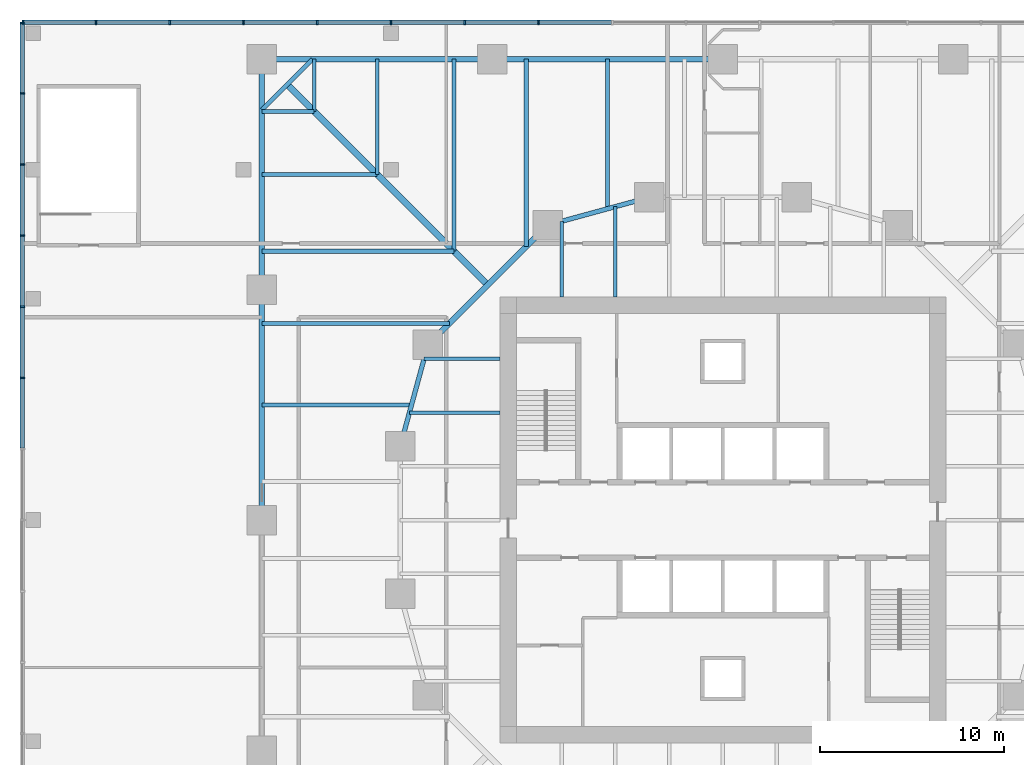
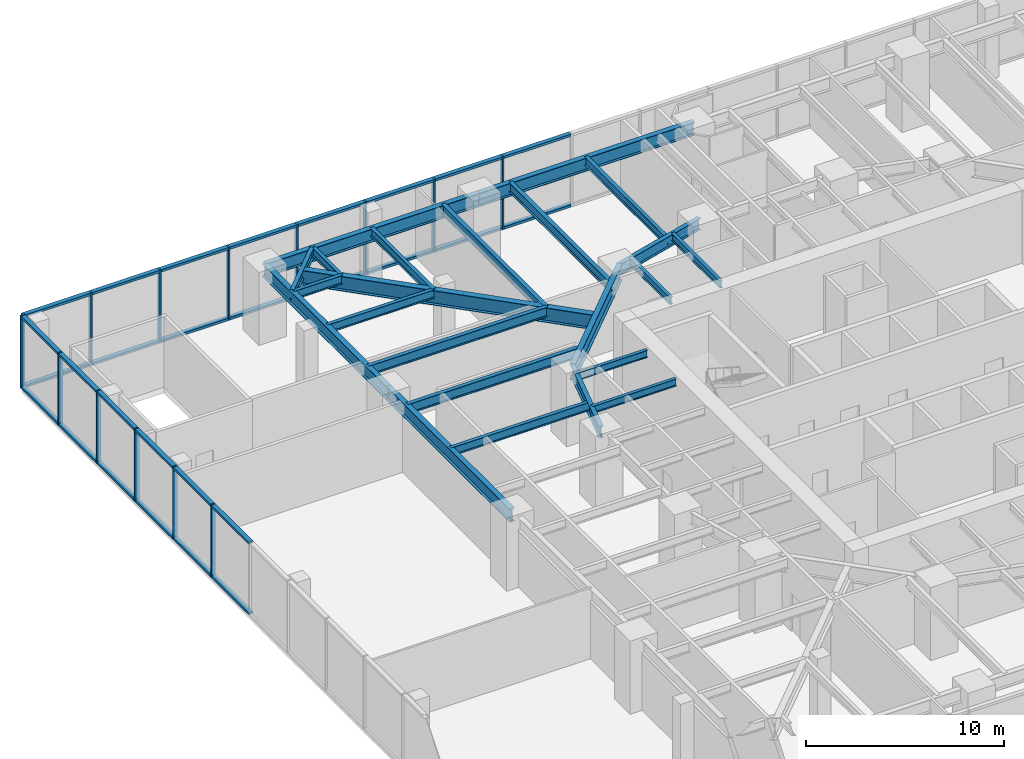
# One storey, part 5 of 14: 42 members, 23 beams, 2 elements without a shape of their own.
"""IFC4 building model written with IfcOpenShell, lengths in metres."""

from ifc_helpers import new_model, si_unit, direction, frame, origin, origin_2d, place, context, subcontext, project, spatial, rectangle, i_section, extrude, material, material_profile, profile_set, type_object, element, aggregate, save


model = new_model("IFC4")

# Units and contexts
model_context = context("Model", 3, precision=1e-05, world=origin(), true_north=direction((0.0, 1.0)))
body_context = subcontext(model_context, "Body", "Model", "MODEL_VIEW")
ifc_project = project(units=[si_unit("LENGTHUNIT", "METRE"), si_unit("AREAUNIT", "SQUARE_METRE"), si_unit("VOLUMEUNIT", "CUBIC_METRE"), si_unit("PLANEANGLEUNIT", "RADIAN"), si_unit("MASSUNIT", "GRAM", prefix="KILO")], contexts=[model_context])

# Site, building, storey
site_placement = place(None, origin())
site = spatial("IfcSite", under=ifc_project, at=site_placement, CompositionType="ELEMENT")
building_placement = place(site_placement, origin())
building = spatial("IfcBuilding", under=site, at=building_placement, Name="Torsade Residences", CompositionType="ELEMENT")
storey_placement = place(building_placement, frame((0.0, 0.0, 10.5)))
storey = spatial("IfcBuildingStorey", under=building, at=storey_placement, Name="L02", CompositionType="ELEMENT", Elevation=10.5)

# Beams
ifc_material_1 = material(Name="Steel grade 300", Category="steel")
ifc_material_profile_1 = material_profile(ifc_material_1, i_section(OverallWidth=0.35009765625, OverallDepth=0.909912109375, WebThickness=0.011962890625, FlangeThickness=0.02490234375, at=origin_2d()), Name="900WB218")
ifc_profile_set_1 = profile_set([ifc_material_profile_1], Name="Steel grade 300")
beam_type_1 = type_object("IfcBeamType", Name="CORNER GIRDER 900WB218", PredefinedType="BEAM", material=ifc_profile_set_1)
beam_1_placement = place(storey_placement, frame((16.375, 53.625, 3.89501953125), z_axis=(0.707106781187, -0.707106781187, 0.0), x_axis=(0.707106781187, 0.707106781187, 0.0)))
element("IfcBeam", 1, at=beam_1_placement, inside=storey, type_object=beam_type_1, Name="Corner girder 13 L03", PredefinedType="BEAM", context=body_context, shape_type="SweptSolid", body=[
    extrude(i_section(OverallWidth=0.35009765625, OverallDepth=0.909912109375, WebThickness=0.011962890625, FlangeThickness=0.02490234375, at=origin_2d()), origin(), (0.0, 0.0, 1.0), 15.379638671875),
])
ifc_material_2 = material(Name="Steel grade 300", Category="steel")
ifc_material_profile_2 = material_profile(ifc_material_2, i_section(OverallWidth=0.22802734375, OverallDepth=0.60205078125, WebThickness=0.010498046875, FlangeThickness=0.014892578125, FilletRadius=0.013916015625, at=origin_2d()), Name="610UB101")
ifc_profile_set_2 = profile_set([ifc_material_profile_2], Name="Steel grade 300")
beam_type_2 = type_object("IfcBeamType", Name="CORNER TRIMMER 610UB101", PredefinedType="BEAM", material=ifc_profile_set_2)
beam_2_placement = place(storey_placement, frame((15.0, 52.25, 4.049072265625), z_axis=(0.707106781187, 0.707106781187, 0.0), x_axis=(-0.707106781187, 0.707106781187, 0.0)))
element("IfcBeam", 2, at=beam_2_placement, inside=storey, type_object=beam_type_2, Name="Corner trimmer 13 L03", PredefinedType="BEAM", context=body_context, shape_type="SweptSolid", body=[
    extrude(i_section(OverallWidth=0.22802734375, OverallDepth=0.60205078125, WebThickness=0.010498046875, FlangeThickness=0.014892578125, FilletRadius=0.013916015625, at=origin_2d()), origin(), (0.0, 0.0, 1.0), 3.88916015625),
])
ifc_material_3 = material(Name="Steel grade 300", Category="steel")
ifc_material_profile_3 = material_profile(ifc_material_3, i_section(OverallWidth=0.300048828125, OverallDepth=0.81591796875, WebThickness=0.010009765625, FlangeThickness=0.028076171875, at=origin_2d()), Name="800WB192")
ifc_profile_set_3 = profile_set([ifc_material_profile_3], Name="Steel grade 300")
beam_type_3 = type_object("IfcBeamType", Name="EDGE BEAM 800WB192", PredefinedType="SPANDREL", material=ifc_profile_set_3)
for number, where, z_axis, x_axis, name in (
    (3, (40.0, 55.0, 3.94189453125), (-1.0, 0.0, 0.0), (0.0, -1.0, 0.0), "Edge beam 11 L03"),
    (4, (27.5, 55.0, 3.94189453125), (-1.0, 0.0, 0.0), (0.0, -1.0, 0.0), "Edge beam 12 L03"),
    (5, (15.0, 55.0, 3.94189453125), (0.0, -1.0, 0.0), (1.0, 0.0, 0.0), "Edge beam 13 L03"),
    (6, (15.0, 42.5, 3.94189453125), (0.0, -1.0, 0.0), (1.0, 0.0, 0.0), "Edge beam 14 L03"),
):
    element("IfcBeam", number, at=place(storey_placement, frame(where, z_axis=z_axis, x_axis=x_axis)), inside=storey, type_object=beam_type_3, Name=name, PredefinedType="SPANDREL", context=body_context, shape_type="SweptSolid", body=[
        extrude(i_section(OverallWidth=0.300048828125, OverallDepth=0.81591796875, WebThickness=0.010009765625, FlangeThickness=0.028076171875, at=origin_2d()), origin(), (0.0, 0.0, 1.0), 12.5),
    ])
ifc_material_4 = material(Name="Steel grade 300", Category="steel")
ifc_material_profile_4 = material_profile(ifc_material_4, i_section(OverallWidth=0.18994140625, OverallDepth=0.4541015625, WebThickness=0.008544921875, FlangeThickness=0.0126953125, FilletRadius=0.011474609375, at=origin_2d()), Name="460UB67.1")
ifc_profile_set_4 = profile_set([ifc_material_profile_4], Name="Steel grade 300")
beam_type_4 = type_object("IfcBeamType", Name="INNER FLOOR BEAM 460UB67.1", PredefinedType="JOIST", material=ifc_profile_set_4)
beam_3_placement = place(storey_placement, frame((31.262451171875, 42.10009765625, 4.123046875), z_axis=(0.0, 1.0, 0.0), x_axis=(-1.0, 0.0, 0.0)))
element("IfcBeam", 7, at=beam_3_placement, inside=storey, type_object=beam_type_4, Name="Inner floor beam IN01 L03", PredefinedType="JOIST", context=body_context, shape_type="SweptSolid", body=[
    extrude(i_section(OverallWidth=0.18994140625, OverallDepth=0.4541015625, WebThickness=0.008544921875, FlangeThickness=0.0126953125, FilletRadius=0.011474609375, at=origin_2d()), origin(), (0.0, 0.0, 1.0), 4.10791015625),
])
beam_4_placement = place(storey_placement, frame((34.175048828125, 42.10009765625, 4.123046875), z_axis=(0.0, 1.0, 0.0), x_axis=(-1.0, 0.0, 0.0)))
element("IfcBeam", 8, at=beam_4_placement, inside=storey, type_object=beam_type_4, Name="Inner floor beam IN02 L03", PredefinedType="JOIST", context=body_context, shape_type="SweptSolid", body=[
    extrude(i_section(OverallWidth=0.18994140625, OverallDepth=0.4541015625, WebThickness=0.008544921875, FlangeThickness=0.0126953125, FilletRadius=0.011474609375, at=origin_2d()), origin(), (0.0, 0.0, 1.0), 4.902099609375),
])
beam_5_placement = place(storey_placement, frame((27.89990234375, 38.737548828125, 4.123046875), z_axis=(-1.0, 0.0, 0.0), x_axis=(0.0, -1.0, 0.0)))
element("IfcBeam", 9, at=beam_5_placement, inside=storey, type_object=beam_type_4, Name="Inner floor beam IW01 L03", PredefinedType="JOIST", context=body_context, shape_type="SweptSolid", body=[
    extrude(i_section(OverallWidth=0.18994140625, OverallDepth=0.4541015625, WebThickness=0.008544921875, FlangeThickness=0.0126953125, FilletRadius=0.011474609375, at=origin_2d()), origin(), (0.0, 0.0, 1.0), 4.10791015625),
])
beam_6_placement = place(storey_placement, frame((27.89990234375, 35.824951171875, 4.123046875), z_axis=(-1.0, 0.0, 0.0), x_axis=(0.0, -1.0, 0.0)))
element("IfcBeam", 10, at=beam_6_placement, inside=storey, type_object=beam_type_4, Name="Inner floor beam IW02 L03", PredefinedType="JOIST", context=body_context, shape_type="SweptSolid", body=[
    extrude(i_section(OverallWidth=0.18994140625, OverallDepth=0.4541015625, WebThickness=0.008544921875, FlangeThickness=0.0126953125, FilletRadius=0.011474609375, at=origin_2d()), origin(), (0.0, 0.0, 1.0), 4.902099609375),
])

# Curtain wall, members
ifc_material_5 = material(Name="Aluminium and glass", Category="aluminium")
curtain_wall_type = type_object("IfcCurtainWallType", Name="PODIUM CURTAIN WALL", PredefinedType="NOTDEFINED", material=ifc_material_5)
curtain_wall_1_placement = place(storey_placement, origin())
curtain_wall_1 = element("IfcCurtainWall", 11, at=curtain_wall_1_placement, inside=storey, type_object=curtain_wall_type, Name="Podium curtain wall L02 N", PredefinedType="NOTDEFINED")
ifc_material_6 = material(Name="Aluminium mullion", Category="aluminium")
ifc_material_profile_5 = material_profile(ifc_material_6, rectangle(XDim=0.25, YDim=0.090087890625, at=origin_2d()), Name="PODIUM CURTAIN WALL MULLION 250x90")
ifc_profile_set_5 = profile_set([ifc_material_profile_5], Name="Aluminium mullion")
member_type_1 = type_object("IfcMemberType", Name="PODIUM CURTAIN WALL MULLION 250x90", PredefinedType="MULLION", material=ifc_profile_set_5)
member_1_placement = place(storey_placement, frame((30.0, 57.0, 0.0), z_axis=(0.0, 0.0, 1.0), x_axis=(0.0, -1.0, 0.0)))
member_1 = element("IfcMember", 12, at=member_1_placement, type_object=member_type_1, Name="Mullion 13", PredefinedType="MULLION", context=body_context, shape_type="SweptSolid", body=[
    extrude(rectangle(XDim=0.25, YDim=0.090087890625, at=origin_2d()), origin(), (0.0, 0.0, 1.0), 4.5),
])
member_2_placement = place(storey_placement, frame((26.0, 57.0, 0.0), z_axis=(0.0, 0.0, 1.0), x_axis=(0.0, -1.0, 0.0)))
member_2 = element("IfcMember", 13, at=member_2_placement, type_object=member_type_1, Name="Mullion 14", PredefinedType="MULLION", context=body_context, shape_type="SweptSolid", body=[
    extrude(rectangle(XDim=0.25, YDim=0.090087890625, at=origin_2d()), origin(), (0.0, 0.0, 1.0), 4.5),
])
member_3_placement = place(storey_placement, frame((22.0, 57.0, 0.0), z_axis=(0.0, 0.0, 1.0), x_axis=(0.0, -1.0, 0.0)))
member_3 = element("IfcMember", 14, at=member_3_placement, type_object=member_type_1, Name="Mullion 15", PredefinedType="MULLION", context=body_context, shape_type="SweptSolid", body=[
    extrude(rectangle(XDim=0.25, YDim=0.090087890625, at=origin_2d()), origin(), (0.0, 0.0, 1.0), 4.5),
])
member_4_placement = place(storey_placement, frame((18.0, 57.0, 0.0), z_axis=(0.0, 0.0, 1.0), x_axis=(0.0, -1.0, 0.0)))
member_4 = element("IfcMember", 15, at=member_4_placement, type_object=member_type_1, Name="Mullion 16", PredefinedType="MULLION", context=body_context, shape_type="SweptSolid", body=[
    extrude(rectangle(XDim=0.25, YDim=0.090087890625, at=origin_2d()), origin(), (0.0, 0.0, 1.0), 4.5),
])
member_5_placement = place(storey_placement, frame((14.0, 57.0, 0.0), z_axis=(0.0, 0.0, 1.0), x_axis=(0.0, -1.0, 0.0)))
member_5 = element("IfcMember", 16, at=member_5_placement, type_object=member_type_1, Name="Mullion 17", PredefinedType="MULLION", context=body_context, shape_type="SweptSolid", body=[
    extrude(rectangle(XDim=0.25, YDim=0.090087890625, at=origin_2d()), origin(), (0.0, 0.0, 1.0), 4.5),
])
member_6_placement = place(storey_placement, frame((10.0, 57.0, 0.0), z_axis=(0.0, 0.0, 1.0), x_axis=(0.0, -1.0, 0.0)))
member_6 = element("IfcMember", 17, at=member_6_placement, type_object=member_type_1, Name="Mullion 18", PredefinedType="MULLION", context=body_context, shape_type="SweptSolid", body=[
    extrude(rectangle(XDim=0.25, YDim=0.090087890625, at=origin_2d()), origin(), (0.0, 0.0, 1.0), 4.5),
])
member_7_placement = place(storey_placement, frame((6.0, 57.0, 0.0), z_axis=(0.0, 0.0, 1.0), x_axis=(0.0, -1.0, 0.0)))
member_7 = element("IfcMember", 18, at=member_7_placement, type_object=member_type_1, Name="Mullion 19", PredefinedType="MULLION", context=body_context, shape_type="SweptSolid", body=[
    extrude(rectangle(XDim=0.25, YDim=0.090087890625, at=origin_2d()), origin(), (0.0, 0.0, 1.0), 4.5),
])
member_8_placement = place(storey_placement, frame((2.044921875, 57.0, 0.0), z_axis=(0.0, 0.0, 1.0), x_axis=(0.0, -1.0, 0.0)))
member_8 = element("IfcMember", 19, at=member_8_placement, type_object=member_type_1, Name="Mullion 20", PredefinedType="MULLION", context=body_context, shape_type="SweptSolid", body=[
    extrude(rectangle(XDim=0.25, YDim=0.090087890625, at=origin_2d()), origin(), (0.0, 0.0, 1.0), 4.5),
])

curtain_wall_2_placement = place(storey_placement, origin())
curtain_wall_2 = element("IfcCurtainWall", 20, at=curtain_wall_2_placement, inside=storey, type_object=curtain_wall_type, Name="Podium curtain wall L02 W", PredefinedType="NOTDEFINED")
member_9_placement = place(storey_placement, frame((2.0, 56.955078125, 0.0), z_axis=(0.0, 0.0, 1.0), x_axis=(1.0, 0.0, 0.0)))
member_9 = element("IfcMember", 21, at=member_9_placement, type_object=member_type_1, Name="Mullion 1", PredefinedType="MULLION", context=body_context, shape_type="SweptSolid", body=[
    extrude(rectangle(XDim=0.25, YDim=0.090087890625, at=origin_2d()), origin(), (0.0, 0.0, 1.0), 4.5),
])
member_10_placement = place(storey_placement, frame((2.0, 53.142822265625, 0.0), z_axis=(0.0, 0.0, 1.0), x_axis=(1.0, 0.0, 0.0)))
member_10 = element("IfcMember", 22, at=member_10_placement, type_object=member_type_1, Name="Mullion 2", PredefinedType="MULLION", context=body_context, shape_type="SweptSolid", body=[
    extrude(rectangle(XDim=0.25, YDim=0.090087890625, at=origin_2d()), origin(), (0.0, 0.0, 1.0), 4.5),
])
member_11_placement = place(storey_placement, frame((2.0, 49.28564453125, 0.0), z_axis=(0.0, 0.0, 1.0), x_axis=(1.0, 0.0, 0.0)))
member_11 = element("IfcMember", 23, at=member_11_placement, type_object=member_type_1, Name="Mullion 3", PredefinedType="MULLION", context=body_context, shape_type="SweptSolid", body=[
    extrude(rectangle(XDim=0.25, YDim=0.090087890625, at=origin_2d()), origin(), (0.0, 0.0, 1.0), 4.5),
])
member_12_placement = place(storey_placement, frame((2.0, 45.428466796875, 0.0), z_axis=(0.0, 0.0, 1.0), x_axis=(1.0, 0.0, 0.0)))
member_12 = element("IfcMember", 24, at=member_12_placement, type_object=member_type_1, Name="Mullion 4", PredefinedType="MULLION", context=body_context, shape_type="SweptSolid", body=[
    extrude(rectangle(XDim=0.25, YDim=0.090087890625, at=origin_2d()), origin(), (0.0, 0.0, 1.0), 4.5),
])
member_13_placement = place(storey_placement, frame((2.0, 41.571533203125, 0.0), z_axis=(0.0, 0.0, 1.0), x_axis=(1.0, 0.0, 0.0)))
member_13 = element("IfcMember", 25, at=member_13_placement, type_object=member_type_1, Name="Mullion 5", PredefinedType="MULLION", context=body_context, shape_type="SweptSolid", body=[
    extrude(rectangle(XDim=0.25, YDim=0.090087890625, at=origin_2d()), origin(), (0.0, 0.0, 1.0), 4.5),
])
member_14_placement = place(storey_placement, frame((2.0, 37.71435546875, 0.0), z_axis=(0.0, 0.0, 1.0), x_axis=(1.0, 0.0, 0.0)))
member_14 = element("IfcMember", 26, at=member_14_placement, type_object=member_type_1, Name="Mullion 6", PredefinedType="MULLION", context=body_context, shape_type="SweptSolid", body=[
    extrude(rectangle(XDim=0.25, YDim=0.090087890625, at=origin_2d()), origin(), (0.0, 0.0, 1.0), 4.5),
])

# Member
ifc_material_7 = material(Name="Aluminium transom", Category="aluminium")
ifc_material_profile_6 = material_profile(ifc_material_7, rectangle(XDim=0.25, YDim=0.14990234375, at=origin_2d()), Name="PODIUM CURTAIN WALL TRANSOM 250x150")
ifc_profile_set_6 = profile_set([ifc_material_profile_6], Name="Aluminium transom")
member_type_2 = type_object("IfcMemberType", Name="PODIUM CURTAIN WALL TRANSOM 250x150", PredefinedType="USERDEFINED", material=ifc_profile_set_6)
member_15_placement = place(storey_placement, frame((33.955078125, 57.0, 0.074951171875), z_axis=(-1.0, 0.0, 0.0), x_axis=(0.0, -1.0, 0.0)))
member_15 = element("IfcMember", 27, at=member_15_placement, type_object=member_type_2, Name="Transom 12.1", ObjectType="TRANSOM", PredefinedType="USERDEFINED", context=body_context, shape_type="SweptSolid", body=[
    extrude(rectangle(XDim=0.25, YDim=0.14990234375, at=origin_2d()), origin(), (0.0, 0.0, 1.0), 3.91015625),
])

member_16_placement = place(storey_placement, frame((33.955078125, 57.0, 4.425048828125), z_axis=(-1.0, 0.0, 0.0), x_axis=(0.0, -1.0, 0.0)))
member_16 = element("IfcMember", 28, at=member_16_placement, type_object=member_type_2, Name="Transom 12.2", ObjectType="TRANSOM", PredefinedType="USERDEFINED", context=body_context, shape_type="SweptSolid", body=[
    extrude(rectangle(XDim=0.25, YDim=0.14990234375, at=origin_2d()), origin(), (0.0, 0.0, 1.0), 3.91015625),
])

member_17_placement = place(storey_placement, frame((29.955078125, 57.0, 0.074951171875), z_axis=(-1.0, 0.0, 0.0), x_axis=(0.0, -1.0, 0.0)))
member_17 = element("IfcMember", 29, at=member_17_placement, type_object=member_type_2, Name="Transom 13.1", ObjectType="TRANSOM", PredefinedType="USERDEFINED", context=body_context, shape_type="SweptSolid", body=[
    extrude(rectangle(XDim=0.25, YDim=0.14990234375, at=origin_2d()), origin(), (0.0, 0.0, 1.0), 3.91015625),
])

member_18_placement = place(storey_placement, frame((29.955078125, 57.0, 4.425048828125), z_axis=(-1.0, 0.0, 0.0), x_axis=(0.0, -1.0, 0.0)))
member_18 = element("IfcMember", 30, at=member_18_placement, type_object=member_type_2, Name="Transom 13.2", ObjectType="TRANSOM", PredefinedType="USERDEFINED", context=body_context, shape_type="SweptSolid", body=[
    extrude(rectangle(XDim=0.25, YDim=0.14990234375, at=origin_2d()), origin(), (0.0, 0.0, 1.0), 3.91015625),
])

member_19_placement = place(storey_placement, frame((25.955078125, 57.0, 0.074951171875), z_axis=(-1.0, 0.0, 0.0), x_axis=(0.0, -1.0, 0.0)))
member_19 = element("IfcMember", 31, at=member_19_placement, type_object=member_type_2, Name="Transom 14.1", ObjectType="TRANSOM", PredefinedType="USERDEFINED", context=body_context, shape_type="SweptSolid", body=[
    extrude(rectangle(XDim=0.25, YDim=0.14990234375, at=origin_2d()), origin(), (0.0, 0.0, 1.0), 3.91015625),
])

member_20_placement = place(storey_placement, frame((25.955078125, 57.0, 4.425048828125), z_axis=(-1.0, 0.0, 0.0), x_axis=(0.0, -1.0, 0.0)))
member_20 = element("IfcMember", 32, at=member_20_placement, type_object=member_type_2, Name="Transom 14.2", ObjectType="TRANSOM", PredefinedType="USERDEFINED", context=body_context, shape_type="SweptSolid", body=[
    extrude(rectangle(XDim=0.25, YDim=0.14990234375, at=origin_2d()), origin(), (0.0, 0.0, 1.0), 3.91015625),
])

member_21_placement = place(storey_placement, frame((21.955078125, 57.0, 0.074951171875), z_axis=(-1.0, 0.0, 0.0), x_axis=(0.0, -1.0, 0.0)))
member_21 = element("IfcMember", 33, at=member_21_placement, type_object=member_type_2, Name="Transom 15.1", ObjectType="TRANSOM", PredefinedType="USERDEFINED", context=body_context, shape_type="SweptSolid", body=[
    extrude(rectangle(XDim=0.25, YDim=0.14990234375, at=origin_2d()), origin(), (0.0, 0.0, 1.0), 3.91015625),
])

member_22_placement = place(storey_placement, frame((21.955078125, 57.0, 4.425048828125), z_axis=(-1.0, 0.0, 0.0), x_axis=(0.0, -1.0, 0.0)))
member_22 = element("IfcMember", 34, at=member_22_placement, type_object=member_type_2, Name="Transom 15.2", ObjectType="TRANSOM", PredefinedType="USERDEFINED", context=body_context, shape_type="SweptSolid", body=[
    extrude(rectangle(XDim=0.25, YDim=0.14990234375, at=origin_2d()), origin(), (0.0, 0.0, 1.0), 3.91015625),
])

member_23_placement = place(storey_placement, frame((17.955078125, 57.0, 0.074951171875), z_axis=(-1.0, 0.0, 0.0), x_axis=(0.0, -1.0, 0.0)))
member_23 = element("IfcMember", 35, at=member_23_placement, type_object=member_type_2, Name="Transom 16.1", ObjectType="TRANSOM", PredefinedType="USERDEFINED", context=body_context, shape_type="SweptSolid", body=[
    extrude(rectangle(XDim=0.25, YDim=0.14990234375, at=origin_2d()), origin(), (0.0, 0.0, 1.0), 3.91015625),
])

member_24_placement = place(storey_placement, frame((17.955078125, 57.0, 4.425048828125), z_axis=(-1.0, 0.0, 0.0), x_axis=(0.0, -1.0, 0.0)))
member_24 = element("IfcMember", 36, at=member_24_placement, type_object=member_type_2, Name="Transom 16.2", ObjectType="TRANSOM", PredefinedType="USERDEFINED", context=body_context, shape_type="SweptSolid", body=[
    extrude(rectangle(XDim=0.25, YDim=0.14990234375, at=origin_2d()), origin(), (0.0, 0.0, 1.0), 3.91015625),
])

member_25_placement = place(storey_placement, frame((13.955078125, 57.0, 0.074951171875), z_axis=(-1.0, 0.0, 0.0), x_axis=(0.0, -1.0, 0.0)))
member_25 = element("IfcMember", 37, at=member_25_placement, type_object=member_type_2, Name="Transom 17.1", ObjectType="TRANSOM", PredefinedType="USERDEFINED", context=body_context, shape_type="SweptSolid", body=[
    extrude(rectangle(XDim=0.25, YDim=0.14990234375, at=origin_2d()), origin(), (0.0, 0.0, 1.0), 3.91015625),
])

member_26_placement = place(storey_placement, frame((13.955078125, 57.0, 4.425048828125), z_axis=(-1.0, 0.0, 0.0), x_axis=(0.0, -1.0, 0.0)))
member_26 = element("IfcMember", 38, at=member_26_placement, type_object=member_type_2, Name="Transom 17.2", ObjectType="TRANSOM", PredefinedType="USERDEFINED", context=body_context, shape_type="SweptSolid", body=[
    extrude(rectangle(XDim=0.25, YDim=0.14990234375, at=origin_2d()), origin(), (0.0, 0.0, 1.0), 3.91015625),
])

member_27_placement = place(storey_placement, frame((9.955078125, 57.0, 0.074951171875), z_axis=(-1.0, 0.0, 0.0), x_axis=(0.0, -1.0, 0.0)))
member_27 = element("IfcMember", 39, at=member_27_placement, type_object=member_type_2, Name="Transom 18.1", ObjectType="TRANSOM", PredefinedType="USERDEFINED", context=body_context, shape_type="SweptSolid", body=[
    extrude(rectangle(XDim=0.25, YDim=0.14990234375, at=origin_2d()), origin(), (0.0, 0.0, 1.0), 3.91015625),
])

member_28_placement = place(storey_placement, frame((9.955078125, 57.0, 4.425048828125), z_axis=(-1.0, 0.0, 0.0), x_axis=(0.0, -1.0, 0.0)))
member_28 = element("IfcMember", 40, at=member_28_placement, type_object=member_type_2, Name="Transom 18.2", ObjectType="TRANSOM", PredefinedType="USERDEFINED", context=body_context, shape_type="SweptSolid", body=[
    extrude(rectangle(XDim=0.25, YDim=0.14990234375, at=origin_2d()), origin(), (0.0, 0.0, 1.0), 3.91015625),
])

member_29_placement = place(storey_placement, frame((5.955078125, 57.0, 0.074951171875), z_axis=(-1.0, 0.0, 0.0), x_axis=(0.0, -1.0, 0.0)))
member_29 = element("IfcMember", 41, at=member_29_placement, type_object=member_type_2, Name="Transom 19.1", ObjectType="TRANSOM", PredefinedType="USERDEFINED", context=body_context, shape_type="SweptSolid", body=[
    extrude(rectangle(XDim=0.25, YDim=0.14990234375, at=origin_2d()), origin(), (0.0, 0.0, 1.0), 3.864990234375),
])

member_30_placement = place(storey_placement, frame((5.955078125, 57.0, 4.425048828125), z_axis=(-1.0, 0.0, 0.0), x_axis=(0.0, -1.0, 0.0)))
member_30 = element("IfcMember", 42, at=member_30_placement, type_object=member_type_2, Name="Transom 19.2", ObjectType="TRANSOM", PredefinedType="USERDEFINED", context=body_context, shape_type="SweptSolid", body=[
    extrude(rectangle(XDim=0.25, YDim=0.14990234375, at=origin_2d()), origin(), (0.0, 0.0, 1.0), 3.864990234375),
])

aggregate(curtain_wall_1, [member_1, member_2, member_3, member_4, member_5, member_6, member_7, member_8, member_15, member_16, member_17, member_18, member_19, member_20, member_21, member_22, member_23, member_24, member_25, member_26, member_27, member_28, member_29, member_30])

member_31_placement = place(storey_placement, frame((2.0, 56.909912109375, 0.074951171875), z_axis=(0.0, -1.0, 0.0), x_axis=(1.0, 0.0, 0.0)))
member_31 = element("IfcMember", 43, at=member_31_placement, type_object=member_type_2, Name="Transom 1.1", ObjectType="TRANSOM", PredefinedType="USERDEFINED", context=body_context, shape_type="SweptSolid", body=[
    extrude(rectangle(XDim=0.25, YDim=0.14990234375, at=origin_2d()), origin(), (0.0, 0.0, 1.0), 3.72216796875),
])

member_32_placement = place(storey_placement, frame((2.0, 56.909912109375, 4.425048828125), z_axis=(0.0, -1.0, 0.0), x_axis=(1.0, 0.0, 0.0)))
member_32 = element("IfcMember", 44, at=member_32_placement, type_object=member_type_2, Name="Transom 1.2", ObjectType="TRANSOM", PredefinedType="USERDEFINED", context=body_context, shape_type="SweptSolid", body=[
    extrude(rectangle(XDim=0.25, YDim=0.14990234375, at=origin_2d()), origin(), (0.0, 0.0, 1.0), 3.72216796875),
])

member_33_placement = place(storey_placement, frame((2.0, 53.097900390625, 0.074951171875), z_axis=(0.0, -1.0, 0.0), x_axis=(1.0, 0.0, 0.0)))
member_33 = element("IfcMember", 45, at=member_33_placement, type_object=member_type_2, Name="Transom 2.1", ObjectType="TRANSOM", PredefinedType="USERDEFINED", context=body_context, shape_type="SweptSolid", body=[
    extrude(rectangle(XDim=0.25, YDim=0.14990234375, at=origin_2d()), origin(), (0.0, 0.0, 1.0), 3.76708984375),
])

member_34_placement = place(storey_placement, frame((2.0, 53.097900390625, 4.425048828125), z_axis=(0.0, -1.0, 0.0), x_axis=(1.0, 0.0, 0.0)))
member_34 = element("IfcMember", 46, at=member_34_placement, type_object=member_type_2, Name="Transom 2.2", ObjectType="TRANSOM", PredefinedType="USERDEFINED", context=body_context, shape_type="SweptSolid", body=[
    extrude(rectangle(XDim=0.25, YDim=0.14990234375, at=origin_2d()), origin(), (0.0, 0.0, 1.0), 3.76708984375),
])

member_35_placement = place(storey_placement, frame((2.0, 49.24072265625, 0.074951171875), z_axis=(0.0, -1.0, 0.0), x_axis=(1.0, 0.0, 0.0)))
member_35 = element("IfcMember", 47, at=member_35_placement, type_object=member_type_2, Name="Transom 3.1", ObjectType="TRANSOM", PredefinedType="USERDEFINED", context=body_context, shape_type="SweptSolid", body=[
    extrude(rectangle(XDim=0.25, YDim=0.14990234375, at=origin_2d()), origin(), (0.0, 0.0, 1.0), 3.76708984375),
])

member_36_placement = place(storey_placement, frame((2.0, 49.24072265625, 4.425048828125), z_axis=(0.0, -1.0, 0.0), x_axis=(1.0, 0.0, 0.0)))
member_36 = element("IfcMember", 48, at=member_36_placement, type_object=member_type_2, Name="Transom 3.2", ObjectType="TRANSOM", PredefinedType="USERDEFINED", context=body_context, shape_type="SweptSolid", body=[
    extrude(rectangle(XDim=0.25, YDim=0.14990234375, at=origin_2d()), origin(), (0.0, 0.0, 1.0), 3.76708984375),
])

member_37_placement = place(storey_placement, frame((2.0, 45.383544921875, 0.074951171875), z_axis=(0.0, -1.0, 0.0), x_axis=(1.0, 0.0, 0.0)))
member_37 = element("IfcMember", 49, at=member_37_placement, type_object=member_type_2, Name="Transom 4.1", ObjectType="TRANSOM", PredefinedType="USERDEFINED", context=body_context, shape_type="SweptSolid", body=[
    extrude(rectangle(XDim=0.25, YDim=0.14990234375, at=origin_2d()), origin(), (0.0, 0.0, 1.0), 3.76708984375),
])

member_38_placement = place(storey_placement, frame((2.0, 45.383544921875, 4.425048828125), z_axis=(0.0, -1.0, 0.0), x_axis=(1.0, 0.0, 0.0)))
member_38 = element("IfcMember", 50, at=member_38_placement, type_object=member_type_2, Name="Transom 4.2", ObjectType="TRANSOM", PredefinedType="USERDEFINED", context=body_context, shape_type="SweptSolid", body=[
    extrude(rectangle(XDim=0.25, YDim=0.14990234375, at=origin_2d()), origin(), (0.0, 0.0, 1.0), 3.76708984375),
])

member_39_placement = place(storey_placement, frame((2.0, 41.5263671875, 0.074951171875), z_axis=(0.0, -1.0, 0.0), x_axis=(1.0, 0.0, 0.0)))
member_39 = element("IfcMember", 51, at=member_39_placement, type_object=member_type_2, Name="Transom 5.1", ObjectType="TRANSOM", PredefinedType="USERDEFINED", context=body_context, shape_type="SweptSolid", body=[
    extrude(rectangle(XDim=0.25, YDim=0.14990234375, at=origin_2d()), origin(), (0.0, 0.0, 1.0), 3.76708984375),
])

member_40_placement = place(storey_placement, frame((2.0, 41.5263671875, 4.425048828125), z_axis=(0.0, -1.0, 0.0), x_axis=(1.0, 0.0, 0.0)))
member_40 = element("IfcMember", 52, at=member_40_placement, type_object=member_type_2, Name="Transom 5.2", ObjectType="TRANSOM", PredefinedType="USERDEFINED", context=body_context, shape_type="SweptSolid", body=[
    extrude(rectangle(XDim=0.25, YDim=0.14990234375, at=origin_2d()), origin(), (0.0, 0.0, 1.0), 3.76708984375),
])

member_41_placement = place(storey_placement, frame((2.0, 37.669189453125, 0.074951171875), z_axis=(0.0, -1.0, 0.0), x_axis=(1.0, 0.0, 0.0)))
member_41 = element("IfcMember", 53, at=member_41_placement, type_object=member_type_2, Name="Transom 6.1", ObjectType="TRANSOM", PredefinedType="USERDEFINED", context=body_context, shape_type="SweptSolid", body=[
    extrude(rectangle(XDim=0.25, YDim=0.14990234375, at=origin_2d()), origin(), (0.0, 0.0, 1.0), 3.76708984375),
])

member_42_placement = place(storey_placement, frame((2.0, 37.669189453125, 4.425048828125), z_axis=(0.0, -1.0, 0.0), x_axis=(1.0, 0.0, 0.0)))
member_42 = element("IfcMember", 54, at=member_42_placement, type_object=member_type_2, Name="Transom 6.2", ObjectType="TRANSOM", PredefinedType="USERDEFINED", context=body_context, shape_type="SweptSolid", body=[
    extrude(rectangle(XDim=0.25, YDim=0.14990234375, at=origin_2d()), origin(), (0.0, 0.0, 1.0), 3.76708984375),
])

aggregate(curtain_wall_2, [member_9, member_10, member_11, member_12, member_13, member_14, member_31, member_32, member_33, member_34, member_35, member_36, member_37, member_38, member_39, member_40, member_41, member_42])

# Beams
ifc_material_8 = material(Name="Steel grade 300", Category="steel")
ifc_material_profile_7 = material_profile(ifc_material_8, i_section(OverallWidth=0.300048828125, OverallDepth=1.0, WebThickness=0.01611328125, FlangeThickness=0.028076171875, at=origin_2d()), Name="1000WB215")
ifc_profile_set_7 = profile_set([ifc_material_profile_7], Name="Steel grade 300")
beam_type_5 = type_object("IfcBeamType", Name="RING CORNER GIRDER 1000WB215", PredefinedType="BEAM", material=ifc_profile_set_7)
beam_7_placement = place(storey_placement, frame((30.5, 46.0, 3.85009765625), z_axis=(-0.707106781187, -0.707106781187, 0.0), x_axis=(0.707106781187, -0.707106781187, 0.0)))
element("IfcBeam", 55, at=beam_7_placement, inside=storey, type_object=beam_type_5, Name="Ring girder IR07 L03", PredefinedType="BEAM", context=body_context, shape_type="SweptSolid", body=[
    extrude(i_section(OverallWidth=0.300048828125, OverallDepth=1.0, WebThickness=0.01611328125, FlangeThickness=0.028076171875, at=origin_2d()), origin(), (0.0, 0.0, 1.0), 9.1923828125),
])
ifc_material_9 = material(Name="Steel grade 300", Category="steel")
ifc_material_profile_8 = material_profile(ifc_material_9, i_section(OverallWidth=0.25, OverallDepth=0.699951171875, WebThickness=0.010009765625, FlangeThickness=0.02001953125, at=origin_2d()), Name="700WB130")
ifc_profile_set_8 = profile_set([ifc_material_profile_8], Name="Steel grade 300")
beam_type_6 = type_object("IfcBeamType", Name="RING GIRDER 700WB130", PredefinedType="BEAM", material=ifc_profile_set_8)
for number, where, z_axis, x_axis, name in (
    (56, (36.0, 47.5, 4.0), (-0.964763821238, -0.263117405792, 0.0), (0.263117405792, -0.964763821238, 0.0), "Ring girder IR06 L03"),
    (57, (24.0, 39.5, 4.0), (-0.263117405792, -0.964763821238, 0.0), (0.964763821238, -0.263117405792, 0.0), "Ring girder IR08 L03"),
):
    element("IfcBeam", number, at=place(storey_placement, frame(where, z_axis=z_axis, x_axis=x_axis)), inside=storey, type_object=beam_type_6, Name=name, PredefinedType="BEAM", context=body_context, shape_type="SweptSolid", body=[
        extrude(i_section(OverallWidth=0.25, OverallDepth=0.699951171875, WebThickness=0.010009765625, FlangeThickness=0.02001953125, at=origin_2d()), origin(), (0.0, 0.0, 1.0), 5.700927734375),
    ])
ifc_material_10 = material(Name="Steel grade 300", Category="steel")
ifc_material_profile_9 = material_profile(ifc_material_10, i_section(OverallWidth=0.208984375, OverallDepth=0.528076171875, WebThickness=0.009521484375, FlangeThickness=0.01318359375, FilletRadius=0.013916015625, at=origin_2d()), Name="530UB82.0")
ifc_profile_set_9 = profile_set([ifc_material_profile_9], Name="Steel grade 300")
beam_type_7 = type_object("IfcBeamType", Name="SECONDARY BEAM 530UB82.0", PredefinedType="JOIST", material=ifc_profile_set_9)
beam_8_placement = place(storey_placement, frame((33.75, 55.0, 4.0859375), z_axis=(0.0, -1.0, 0.0), x_axis=(1.0, 0.0, 0.0)))
element("IfcBeam", 58, at=beam_8_placement, inside=storey, type_object=beam_type_7, Name="Floor beam FN08 L03", PredefinedType="JOIST", context=body_context, shape_type="SweptSolid", body=[
    extrude(i_section(OverallWidth=0.208984375, OverallDepth=0.528076171875, WebThickness=0.009521484375, FlangeThickness=0.01318359375, FilletRadius=0.013916015625, at=origin_2d()), origin(), (0.0, 0.0, 1.0), 8.113525390625),
])
beam_9_placement = place(storey_placement, frame((21.25, 55.0, 4.0859375), z_axis=(0.0, -1.0, 0.0), x_axis=(1.0, 0.0, 0.0)))
element("IfcBeam", 59, at=beam_9_placement, inside=storey, type_object=beam_type_7, Name="Floor beam FN11 L03", PredefinedType="JOIST", context=body_context, shape_type="SweptSolid", body=[
    extrude(i_section(OverallWidth=0.208984375, OverallDepth=0.528076171875, WebThickness=0.009521484375, FlangeThickness=0.01318359375, FilletRadius=0.013916015625, at=origin_2d()), origin(), (0.0, 0.0, 1.0), 6.25),
])
for number, where, z_axis, x_axis, name in (
    (60, (17.833251953125, 55.0, 4.0859375), (0.0, -1.0, 0.0), (1.0, 0.0, 0.0), "Floor beam FN12 L03"),
    (61, (15.0, 52.166748046875, 4.0859375), (1.0, 0.0, 0.0), (0.0, 1.0, 0.0), "Floor beam FW01 L03"),
):
    element("IfcBeam", number, at=place(storey_placement, frame(where, z_axis=z_axis, x_axis=x_axis)), inside=storey, type_object=beam_type_7, Name=name, PredefinedType="JOIST", context=body_context, shape_type="SweptSolid", body=[
        extrude(i_section(OverallWidth=0.208984375, OverallDepth=0.528076171875, WebThickness=0.009521484375, FlangeThickness=0.01318359375, FilletRadius=0.013916015625, at=origin_2d()), origin(), (0.0, 0.0, 1.0), 2.833251953125),
    ])
beam_10_placement = place(storey_placement, frame((15.0, 48.75, 4.0859375), z_axis=(1.0, 0.0, 0.0), x_axis=(0.0, 1.0, 0.0)))
element("IfcBeam", 62, at=beam_10_placement, inside=storey, type_object=beam_type_7, Name="Floor beam FW02 L03", PredefinedType="JOIST", context=body_context, shape_type="SweptSolid", body=[
    extrude(i_section(OverallWidth=0.208984375, OverallDepth=0.528076171875, WebThickness=0.009521484375, FlangeThickness=0.01318359375, FilletRadius=0.013916015625, at=origin_2d()), origin(), (0.0, 0.0, 1.0), 6.25),
])
beam_11_placement = place(storey_placement, frame((15.0, 36.25, 4.0859375), z_axis=(1.0, 0.0, 0.0), x_axis=(0.0, 1.0, 0.0)))
element("IfcBeam", 63, at=beam_11_placement, inside=storey, type_object=beam_type_7, Name="Floor beam FW05 L03", PredefinedType="JOIST", context=body_context, shape_type="SweptSolid", body=[
    extrude(i_section(OverallWidth=0.208984375, OverallDepth=0.528076171875, WebThickness=0.009521484375, FlangeThickness=0.01318359375, FilletRadius=0.013916015625, at=origin_2d()), origin(), (0.0, 0.0, 1.0), 8.113525390625),
])
ifc_material_11 = material(Name="Steel grade 300", Category="steel")
ifc_material_profile_10 = material_profile(ifc_material_11, i_section(OverallWidth=0.22900390625, OverallDepth=0.612060546875, WebThickness=0.011962890625, FlangeThickness=0.01953125, FilletRadius=0.013916015625, at=origin_2d()), Name="610UB125")
ifc_profile_set_10 = profile_set([ifc_material_profile_10], Name="Steel grade 300")
beam_type_8 = type_object("IfcBeamType", Name="SECONDARY BEAM 610UB125", PredefinedType="JOIST", material=ifc_profile_set_10)
beam_12_placement = place(storey_placement, frame((29.333251953125, 55.0, 4.0439453125), z_axis=(0.0, -1.0, 0.0), x_axis=(1.0, 0.0, 0.0)))
element("IfcBeam", 64, at=beam_12_placement, inside=storey, type_object=beam_type_8, Name="Floor beam FN09 L03", PredefinedType="JOIST", context=body_context, shape_type="SweptSolid", body=[
    extrude(i_section(OverallWidth=0.22900390625, OverallDepth=0.612060546875, WebThickness=0.011962890625, FlangeThickness=0.01953125, FilletRadius=0.013916015625, at=origin_2d()), origin(), (0.0, 0.0, 1.0), 10.166748046875),
])
for number, where, z_axis, x_axis, name in (
    (65, (25.416748046875, 55.0, 4.0439453125), (0.0, -1.0, 0.0), (1.0, 0.0, 0.0), "Floor beam FN10 L03"),
    (66, (15.0, 44.583251953125, 4.0439453125), (1.0, 0.0, 0.0), (0.0, 1.0, 0.0), "Floor beam FW03 L03"),
):
    element("IfcBeam", number, at=place(storey_placement, frame(where, z_axis=z_axis, x_axis=x_axis)), inside=storey, type_object=beam_type_8, Name=name, PredefinedType="JOIST", context=body_context, shape_type="SweptSolid", body=[
        extrude(i_section(OverallWidth=0.22900390625, OverallDepth=0.612060546875, WebThickness=0.011962890625, FlangeThickness=0.01953125, FilletRadius=0.013916015625, at=origin_2d()), origin(), (0.0, 0.0, 1.0), 10.416748046875),
    ])
beam_13_placement = place(storey_placement, frame((15.0, 40.666748046875, 4.0439453125), z_axis=(1.0, 0.0, 0.0), x_axis=(0.0, 1.0, 0.0)))
element("IfcBeam", 67, at=beam_13_placement, inside=storey, type_object=beam_type_8, Name="Floor beam FW04 L03", PredefinedType="JOIST", context=body_context, shape_type="SweptSolid", body=[
    extrude(i_section(OverallWidth=0.22900390625, OverallDepth=0.612060546875, WebThickness=0.011962890625, FlangeThickness=0.01953125, FilletRadius=0.013916015625, at=origin_2d()), origin(), (0.0, 0.0, 1.0), 10.166748046875),
])

save(model, "model.ifc")
